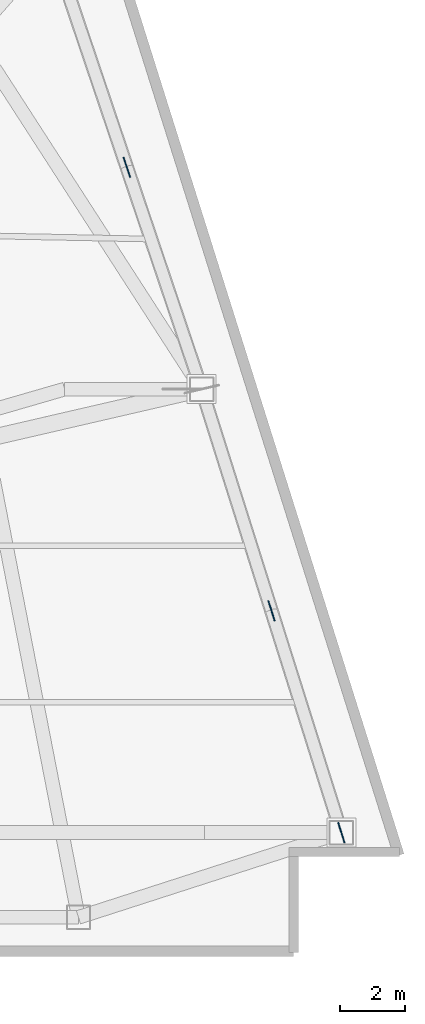
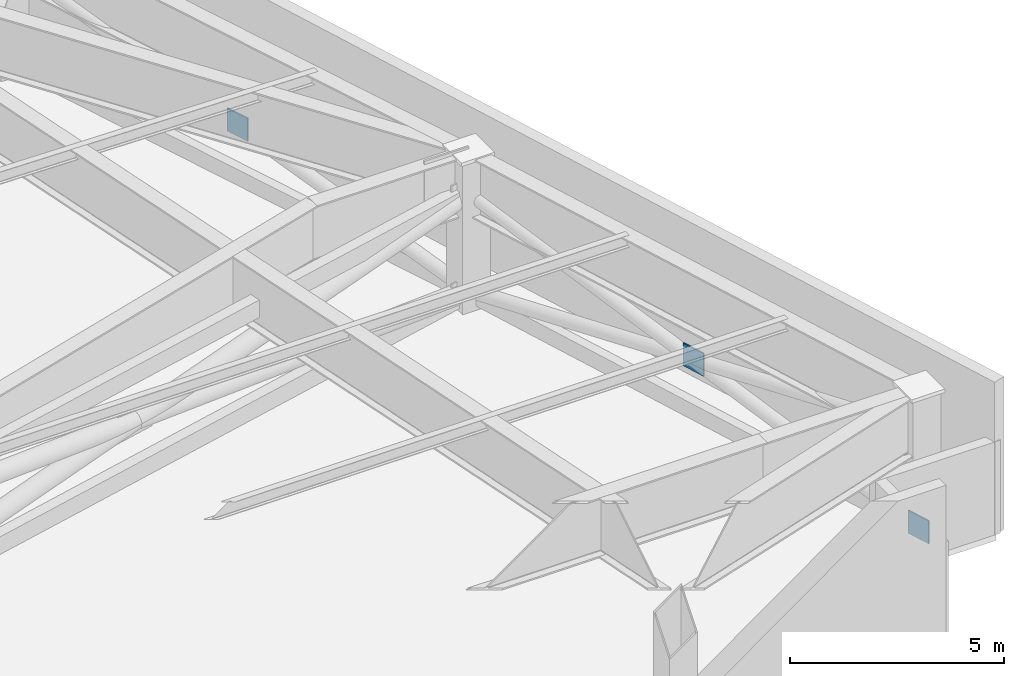
# One storey, part 11 of 17: 3 plates.
"""IFC4 building model written with IfcOpenShell, lengths in metres."""

from ifc_helpers import new_model, si_unit, direction, frame, origin, origin_2d, place, context, subcontext, project, spatial, rectangle, extrude, material, layer, layer_set, type_object, element, save


model = new_model("IFC4")

# Units and contexts
model_context = context("Model", 3, precision=1e-05, world=origin(), true_north=direction((0.0, 1.0)))
body_context = subcontext(model_context, "Body", "Model", "MODEL_VIEW")
ifc_project = project(units=[si_unit("LENGTHUNIT", "METRE"), si_unit("AREAUNIT", "SQUARE_METRE"), si_unit("VOLUMEUNIT", "CUBIC_METRE"), si_unit("PLANEANGLEUNIT", "RADIAN"), si_unit("MASSUNIT", "GRAM", prefix="KILO")], contexts=[model_context])

# Site, building, storey
site_placement = place(None, origin())
site = spatial("IfcSite", under=ifc_project, at=site_placement, CompositionType="ELEMENT")
building_placement = place(site_placement, origin())
building = spatial("IfcBuilding", under=site, at=building_placement, Name="Calvorn Quay Hotel", CompositionType="ELEMENT")
storey_placement = place(building_placement, frame((0.0, 0.0, 186.5)))
storey = spatial("IfcBuildingStorey", under=building, at=storey_placement, Name="L46", CompositionType="ELEMENT", Elevation=186.5)

# Plates
ifc_material = material(Name="Steel Q390GJC", Category="steel")
ifc_layer = layer(ifc_material, 0.035888671875)
ifc_layer_set = layer_set([ifc_layer], Name="PLT-GUSSET-36")
plate_type = type_object("IfcPlateType", Name="PLT-GUSSET-36", PredefinedType="SHEET", material=ifc_layer_set)
for number, where, z_axis, x_axis, name in (
    (1, (57.4609375, 6.199951171875, 0.025146484375), (0.0, 0.0, 1.0), (-0.300539339916, 0.953769419285, 0.0), "Belt Truss Gusset Plate L46-BE1-A"),
    (2, (55.319091796875, 13.0, 1.425048828125), (0.0, 0.0, 1.0), (-0.300539339916, 0.953769419285, 0.0), "Belt Truss Gusset Plate L46-BE1-X"),
    (3, (50.883056640625, 26.60009765625, 1.425048828125), (0.0, 0.0, 1.0), (-0.319455515932, 0.947601273395, 0.0), "Belt Truss Gusset Plate L46-BE2-X"),
):
    element("IfcPlate", number, at=place(storey_placement, frame(where, z_axis=z_axis, x_axis=x_axis)), inside=storey, type_object=plate_type, Name=name, PredefinedType="SHEET", context=body_context, shape_type="SweptSolid", body=[
        extrude(rectangle(XDim=0.64990234375, YDim=0.035888671875, at=origin_2d()), origin(), (0.0, 0.0, 1.0), 0.64990234375),
    ])

save(model, "model.ifc")
